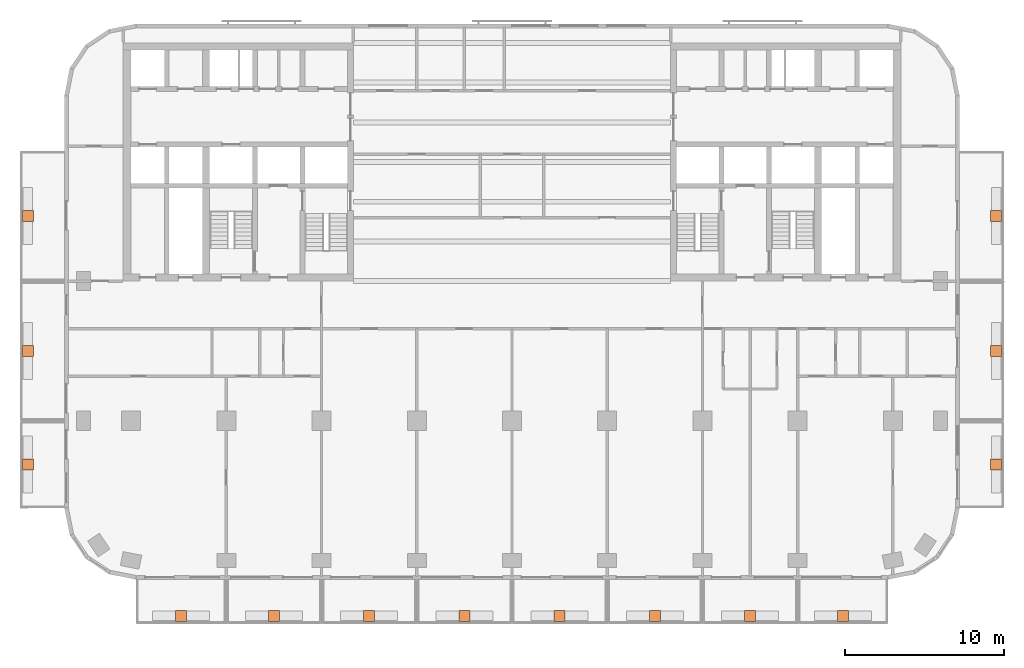
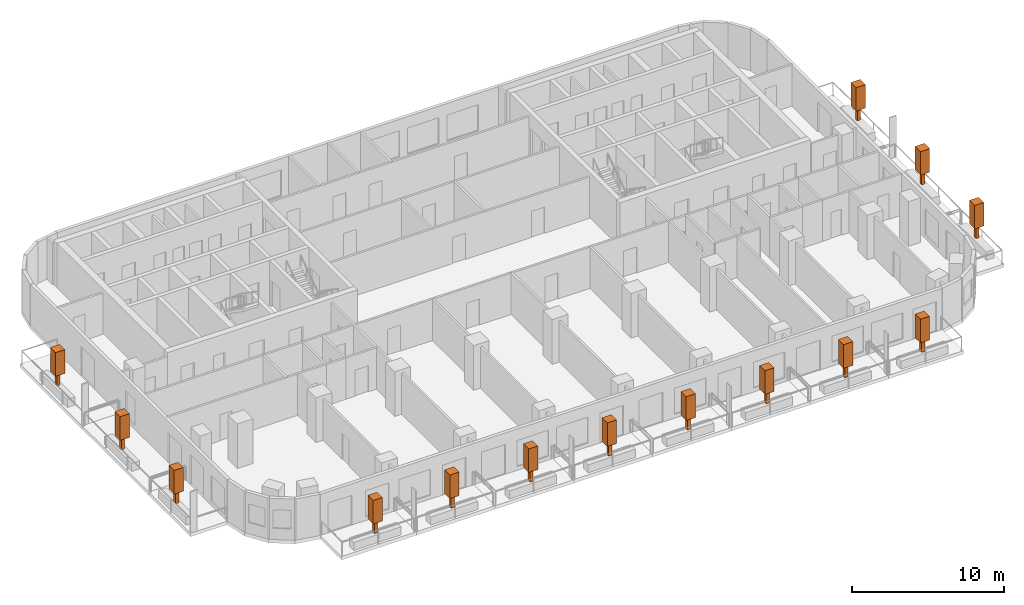
# One storey, part 11 of 11: 14 geographic elements.
"""IFC4 building model written with IfcOpenShell, lengths in metres."""

from ifc_helpers import new_model, si_unit, direction, frame, origin, origin_2d, place, context, subcontext, project, spatial, rectangle, extrude, material, element, save


model = new_model("IFC4")

# Units and contexts
model_context = context("Model", 3, precision=1e-05, world=origin(), true_north=direction((0.0, 1.0)))
body_context = subcontext(model_context, "Body", "Model", "MODEL_VIEW")
ifc_project = project(units=[si_unit("LENGTHUNIT", "METRE"), si_unit("AREAUNIT", "SQUARE_METRE"), si_unit("VOLUMEUNIT", "CUBIC_METRE"), si_unit("PLANEANGLEUNIT", "RADIAN"), si_unit("MASSUNIT", "GRAM", prefix="KILO")], contexts=[model_context])

# Site, building, storey
site_placement = place(None, origin())
site = spatial("IfcSite", under=ifc_project, at=site_placement, CompositionType="ELEMENT")
building_placement = place(site_placement, origin())
building = spatial("IfcBuilding", under=site, at=building_placement, Name="Torana Hotel and Residences", CompositionType="ELEMENT")
storey_placement = place(building_placement, frame((0.0, 0.0, 163.199951171875)))
storey = spatial("IfcBuildingStorey", under=building, at=storey_placement, Name="L42", CompositionType="ELEMENT", Elevation=163.199951171875)

# Geographic elements
ifc_material = material(Name="Foliage", Category="planting")
for number, where, z_axis, x_axis, name in (
    (1, (-20.85009765625, -36.10009765625, 0.650146484375), (0.0, 0.0, 1.0), (1.0, 0.0, 0.0), "Tree 01"),
    (2, (-15.0, -36.10009765625, 0.650146484375), (0.0, 0.0, 1.0), (1.0, 0.0, 0.0), "Tree 02"),
    (3, (-9.0, -36.10009765625, 0.650146484375), (0.0, 0.0, 1.0), (1.0, 0.0, 0.0), "Tree 03"),
    (4, (-3.0, -36.10009765625, 0.650146484375), (0.0, 0.0, 1.0), (1.0, 0.0, 0.0), "Tree 04"),
    (5, (3.0, -36.10009765625, 0.650146484375), (0.0, 0.0, 1.0), (1.0, 0.0, 0.0), "Tree 05"),
    (6, (9.0, -36.10009765625, 0.650146484375), (0.0, 0.0, 1.0), (1.0, 0.0, 0.0), "Tree 06"),
    (7, (15.0, -36.10009765625, 0.650146484375), (0.0, 0.0, 1.0), (1.0, 0.0, 0.0), "Tree 07"),
    (8, (20.85009765625, -36.10009765625, 0.650146484375), (0.0, 0.0, 1.0), (1.0, 0.0, 0.0), "Tree 08"),
    (9, (-30.5, -26.550048828125, 0.650146484375), (0.0, 0.0, 1.0), (1.0, 0.0, 0.0), "Tree 09"),
    (10, (-30.5, -19.39990234375, 0.650146484375), (0.0, 0.0, 1.0), (1.0, 0.0, 0.0), "Tree 10"),
    (11, (-30.5, -10.89990234375, 0.650146484375), (0.0, 0.0, 1.0), (1.0, 0.0, 0.0), "Tree 11"),
    (12, (30.5, -26.550048828125, 0.650146484375), (0.0, 0.0, 1.0), (1.0, 0.0, 0.0), "Tree 12"),
    (13, (30.5, -19.39990234375, 0.650146484375), (0.0, 0.0, 1.0), (1.0, 0.0, 0.0), "Tree 13"),
    (14, (30.5, -10.89990234375, 0.650146484375), (0.0, 0.0, 1.0), (1.0, 0.0, 0.0), "Tree 14"),
):
    element("IfcGeographicElement", number, at=place(storey_placement, frame(where, z_axis=z_axis, x_axis=x_axis)), inside=storey, material=ifc_material, Name=name, ObjectType="TREE", PredefinedType="USERDEFINED", context=body_context, shape_type="SweptSolid", body=[
        extrude(rectangle(XDim=0.25, YDim=0.25, at=origin_2d()), origin(), (0.0, 0.0, 1.0), 1.0),
        extrude(rectangle(XDim=0.699951171875, YDim=0.699951171875, at=origin_2d()), frame((0.0, 0.0, 1.0)), (0.0, 0.0, 1.0), 1.89990234375),
    ])

save(model, "model.ifc")
